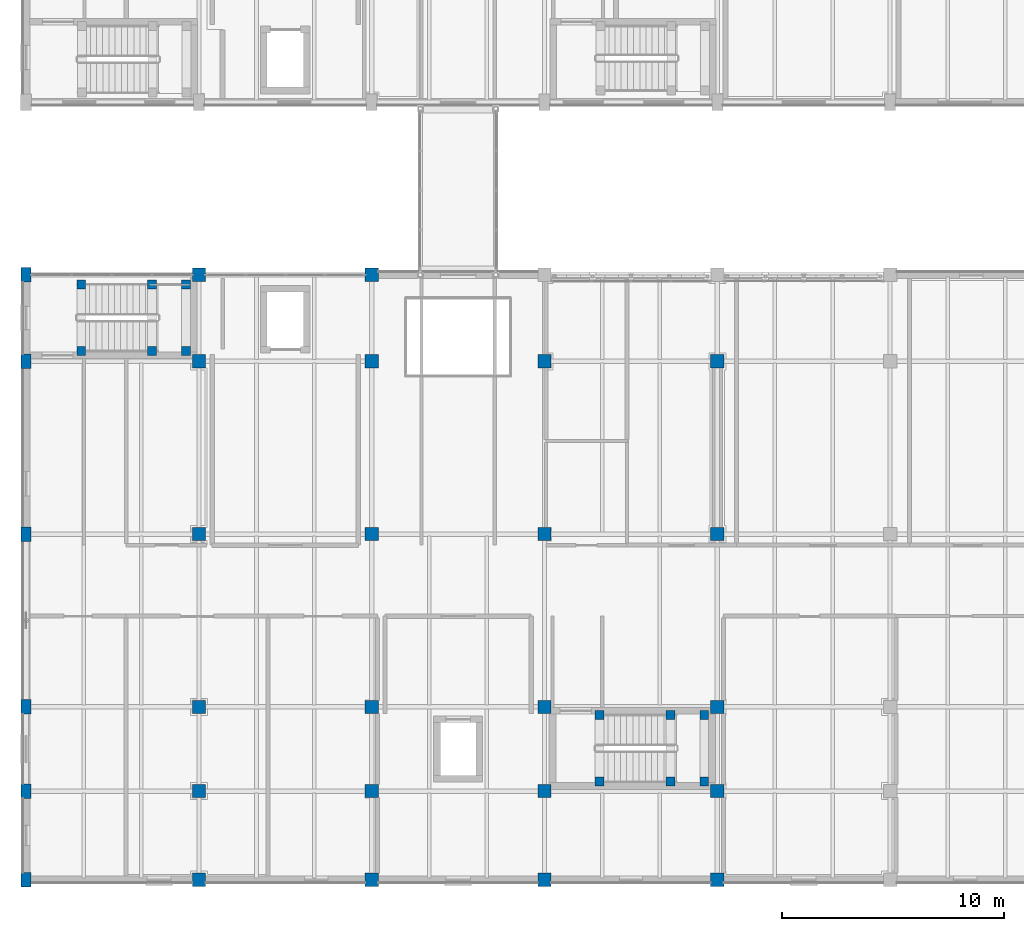
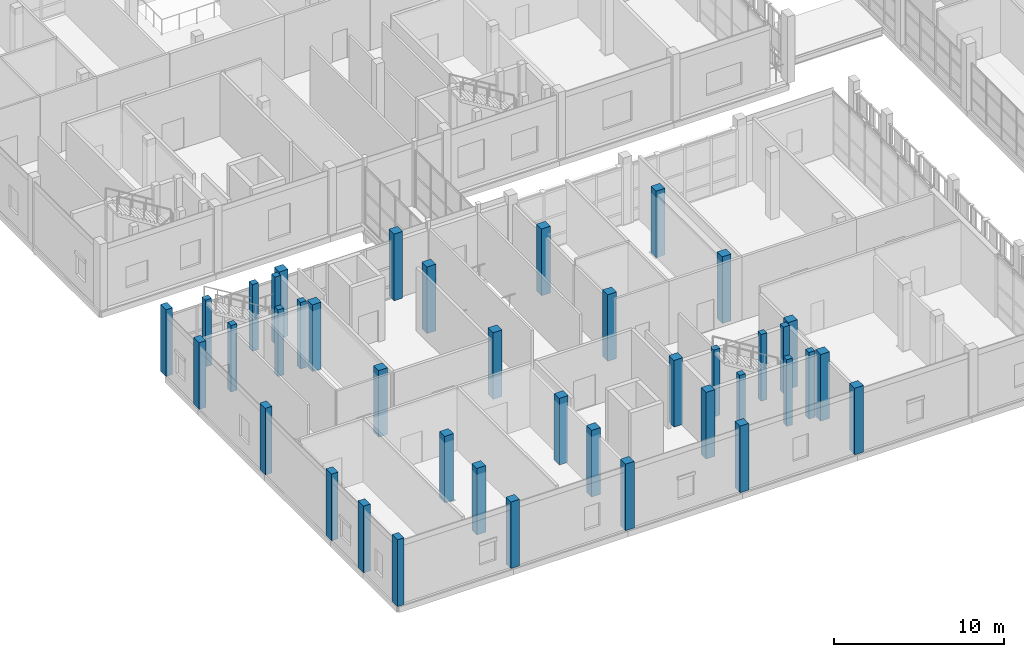
# One storey, part 1 of 138: 40 columns.
"""IFC4 building model written with IfcOpenShell, lengths in metres."""

from ifc_helpers import new_model, si_unit, direction, frame, origin, origin_2d, place, context, subcontext, project, spatial, rectangle, extrude, material, material_profile, profile_set, type_object, element, save


model = new_model("IFC4")

# Units and contexts
model_context = context("Model", 3, precision=1e-05, world=origin(), true_north=direction((0.0, 1.0)))
body_context = subcontext(model_context, "Body", "Model", "MODEL_VIEW")
ifc_project = project(units=[si_unit("LENGTHUNIT", "METRE"), si_unit("AREAUNIT", "SQUARE_METRE"), si_unit("VOLUMEUNIT", "CUBIC_METRE"), si_unit("PLANEANGLEUNIT", "RADIAN"), si_unit("MASSUNIT", "GRAM", prefix="KILO")], contexts=[model_context])

# Site, building, storey
site_placement = place(None, origin())
site = spatial("IfcSite", under=ifc_project, at=site_placement, CompositionType="ELEMENT")
building_placement = place(site_placement, origin())
building = spatial("IfcBuilding", under=site, at=building_placement, Name="Celorna Specialist Clinic", CompositionType="ELEMENT")
storey_placement = place(building_placement, frame((0.0, 0.0, 4.800048828125)))
storey = spatial("IfcBuildingStorey", under=building, at=storey_placement, Name="L01", CompositionType="ELEMENT", Elevation=4.800048828125)

# Columns
ifc_material_1 = material(Name="Concrete C40/50", Category="concrete")
ifc_material_profile_1 = material_profile(ifc_material_1, rectangle(XDim=0.60009765625, YDim=0.60009765625, at=origin_2d()), Name="RC 600x600")
ifc_profile_set_1 = profile_set([ifc_material_profile_1], Name="Concrete C40/50")
column_type_1 = type_object("IfcColumnType", Name="CT-04", PredefinedType="COLUMN", material=ifc_profile_set_1)
for number, where, z_axis, x_axis, name in (
    (1, (7.800048828125, 0.0, 0.0), (0.0, 0.0, 1.0), (1.0, 0.0, 0.0), "Column CT-04 L01 X02/YA"),
    (2, (7.800048828125, 4.0, 0.0), (0.0, 0.0, 1.0), (1.0, 0.0, 0.0), "Column CT-04 L01 X02/YA1"),
    (3, (7.800048828125, 7.800048828125, 0.0), (0.0, 0.0, 1.0), (1.0, 0.0, 0.0), "Column CT-04 L01 X02/YC"),
    (4, (7.800048828125, 15.60009765625, 0.0), (0.0, 0.0, 1.0), (1.0, 0.0, 0.0), "Column CT-04 L01 X02/YD"),
    (5, (7.800048828125, 23.39990234375, 0.0), (0.0, 0.0, 1.0), (1.0, 0.0, 0.0), "Column CT-04 L01 X02/YE"),
    (6, (7.800048828125, 27.300048828125, 0.0), (0.0, 0.0, 1.0), (1.0, 0.0, 0.0), "Column CT-04 L01 X02/YF"),
    (7, (15.60009765625, 0.0, 0.0), (0.0, 0.0, 1.0), (1.0, 0.0, 0.0), "Column CT-04 L01 X03/YA"),
    (8, (15.60009765625, 4.0, 0.0), (0.0, 0.0, 1.0), (1.0, 0.0, 0.0), "Column CT-04 L01 X03/YA1"),
    (9, (15.60009765625, 7.800048828125, 0.0), (0.0, 0.0, 1.0), (1.0, 0.0, 0.0), "Column CT-04 L01 X03/YC"),
    (10, (15.60009765625, 15.60009765625, 0.0), (0.0, 0.0, 1.0), (1.0, 0.0, 0.0), "Column CT-04 L01 X03/YD"),
    (11, (15.60009765625, 23.39990234375, 0.0), (0.0, 0.0, 1.0), (1.0, 0.0, 0.0), "Column CT-04 L01 X03/YE"),
    (12, (15.60009765625, 27.300048828125, 0.0), (0.0, 0.0, 1.0), (1.0, 0.0, 0.0), "Column CT-04 L01 X03/YF"),
    (13, (23.39990234375, 0.0, 0.0), (0.0, 0.0, 1.0), (1.0, 0.0, 0.0), "Column CT-04 L01 X04/YA"),
    (14, (23.39990234375, 4.0, 0.0), (0.0, 0.0, 1.0), (1.0, 0.0, 0.0), "Column CT-04 L01 X04/YA1"),
    (15, (23.39990234375, 7.800048828125, 0.0), (0.0, 0.0, 1.0), (1.0, 0.0, 0.0), "Column CT-04 L01 X04/YC"),
    (16, (23.39990234375, 15.60009765625, 0.0), (0.0, 0.0, 1.0), (1.0, 0.0, 0.0), "Column CT-04 L01 X04/YD"),
    (17, (23.39990234375, 23.39990234375, 0.0), (0.0, 0.0, 1.0), (1.0, 0.0, 0.0), "Column CT-04 L01 X04/YE"),
    (18, (31.199951171875, 0.0, 0.0), (0.0, 0.0, 1.0), (1.0, 0.0, 0.0), "Column CT-04 L01 X05/YA"),
    (19, (31.199951171875, 4.0, 0.0), (0.0, 0.0, 1.0), (1.0, 0.0, 0.0), "Column CT-04 L01 X05/YA1"),
    (20, (31.199951171875, 7.800048828125, 0.0), (0.0, 0.0, 1.0), (1.0, 0.0, 0.0), "Column CT-04 L01 X05/YC"),
    (21, (31.199951171875, 15.60009765625, 0.0), (0.0, 0.0, 1.0), (1.0, 0.0, 0.0), "Column CT-04 L01 X05/YD"),
    (22, (31.199951171875, 23.39990234375, 0.0), (0.0, 0.0, 1.0), (1.0, 0.0, 0.0), "Column CT-04 L01 X05/YE"),
):
    element("IfcColumn", number, at=place(storey_placement, frame(where, z_axis=z_axis, x_axis=x_axis)), inside=storey, type_object=column_type_1, Name=name, PredefinedType="COLUMN", context=body_context, shape_type="SweptSolid", body=[
        extrude(rectangle(XDim=0.60009765625, YDim=0.60009765625, at=origin_2d()), origin(), (0.0, 0.0, 1.0), 4.800048828125),
    ])
ifc_material_2 = material(Name="Concrete C35/45", Category="concrete")
ifc_material_profile_2 = material_profile(ifc_material_2, rectangle(XDim=0.39990234375, YDim=0.39990234375, at=origin_2d()), Name="RC 400x400")
ifc_profile_set_2 = profile_set([ifc_material_profile_2], Name="Concrete C35/45")
column_type_2 = type_object("IfcColumnType", Name="CT-08", PredefinedType="COLUMN", material=ifc_profile_set_2)
for number, where, z_axis, x_axis, name in (
    (23, (2.489990234375, 23.8701171875, 0.0), (0.0, 0.0, 1.0), (1.0, 0.0, 0.0), "Stair ST-04 landing column CT-08 L01 X01/YF"),
    (24, (2.489990234375, 26.8701171875, 0.0), (0.0, 0.0, 1.0), (1.0, 0.0, 0.0), "Stair ST-04 landing column CT-08 L01 X01/YF"),
    (25, (5.68994140625, 23.8701171875, 0.0), (0.0, 0.0, 1.0), (1.0, 0.0, 0.0), "Stair ST-04 landing column CT-08 L01 X02/YF"),
    (26, (5.68994140625, 26.8701171875, 0.0), (0.0, 0.0, 1.0), (1.0, 0.0, 0.0), "Stair ST-04 landing column CT-08 L01 X02/YF"),
    (27, (7.2099609375, 23.8701171875, 0.0), (0.0, 0.0, 1.0), (1.0, 0.0, 0.0), "Stair ST-04 landing column CT-08 L01 X02/YF"),
    (28, (7.2099609375, 26.8701171875, 0.0), (0.0, 0.0, 1.0), (1.0, 0.0, 0.0), "Stair ST-04 landing column CT-08 L01 X02/YF"),
    (29, (25.889892578125, 4.429931640625, 0.0), (0.0, 0.0, 1.0), (1.0, 0.0, 0.0), "Stair ST-05 landing column CT-08 L01 X04/YA1"),
    (30, (25.889892578125, 7.429931640625, 0.0), (0.0, 0.0, 1.0), (1.0, 0.0, 0.0), "Stair ST-05 landing column CT-08 L01 X04/YC"),
    (31, (29.090087890625, 4.429931640625, 0.0), (0.0, 0.0, 1.0), (1.0, 0.0, 0.0), "Stair ST-05 landing column CT-08 L01 X05/YA1"),
    (32, (29.090087890625, 7.429931640625, 0.0), (0.0, 0.0, 1.0), (1.0, 0.0, 0.0), "Stair ST-05 landing column CT-08 L01 X05/YC"),
    (33, (30.610107421875, 4.429931640625, 0.0), (0.0, 0.0, 1.0), (1.0, 0.0, 0.0), "Stair ST-05 landing column CT-08 L01 X05/YA1"),
    (34, (30.610107421875, 7.429931640625, 0.0), (0.0, 0.0, 1.0), (1.0, 0.0, 0.0), "Stair ST-05 landing column CT-08 L01 X05/YC"),
):
    element("IfcColumn", number, at=place(storey_placement, frame(where, z_axis=z_axis, x_axis=x_axis)), inside=storey, type_object=column_type_2, Name=name, PredefinedType="COLUMN", context=body_context, shape_type="SweptSolid", body=[
        extrude(rectangle(XDim=0.39990234375, YDim=0.39990234375, at=origin_2d()), origin(), (0.0, 0.0, 1.0), 4.800048828125),
    ])
ifc_material_profile_3 = material_profile(ifc_material_1, rectangle(XDim=0.449951171875, YDim=0.64990234375, at=origin_2d()), Name="RC 450x650")
ifc_profile_set_3 = profile_set([ifc_material_profile_3], Name="Concrete C40/50")
column_type_3 = type_object("IfcColumnType", Name="CT-10", PredefinedType="COLUMN", material=ifc_profile_set_3)
for number, where, z_axis, x_axis, name in (
    (35, (0.0, 0.0, 0.0), (0.0, 0.0, 1.0), (1.0, 0.0, 0.0), "Column CT-10 L01 X01/YA"),
    (36, (0.0, 4.0, 0.0), (0.0, 0.0, 1.0), (1.0, 0.0, 0.0), "Column CT-10 L01 X01/YA1"),
    (37, (0.0, 7.800048828125, 0.0), (0.0, 0.0, 1.0), (1.0, 0.0, 0.0), "Column CT-10 L01 X01/YC"),
    (38, (0.0, 15.60009765625, 0.0), (0.0, 0.0, 1.0), (1.0, 0.0, 0.0), "Column CT-10 L01 X01/YD"),
    (39, (0.0, 23.39990234375, 0.0), (0.0, 0.0, 1.0), (1.0, 0.0, 0.0), "Column CT-10 L01 X01/YE"),
    (40, (0.0, 27.300048828125, 0.0), (0.0, 0.0, 1.0), (1.0, 0.0, 0.0), "Column CT-10 L01 X01/YF"),
):
    element("IfcColumn", number, at=place(storey_placement, frame(where, z_axis=z_axis, x_axis=x_axis)), inside=storey, type_object=column_type_3, Name=name, PredefinedType="COLUMN", context=body_context, shape_type="SweptSolid", body=[
        extrude(rectangle(XDim=0.449951171875, YDim=0.64990234375, at=origin_2d()), origin(), (0.0, 0.0, 1.0), 4.800048828125),
    ])

save(model, "model.ifc")
